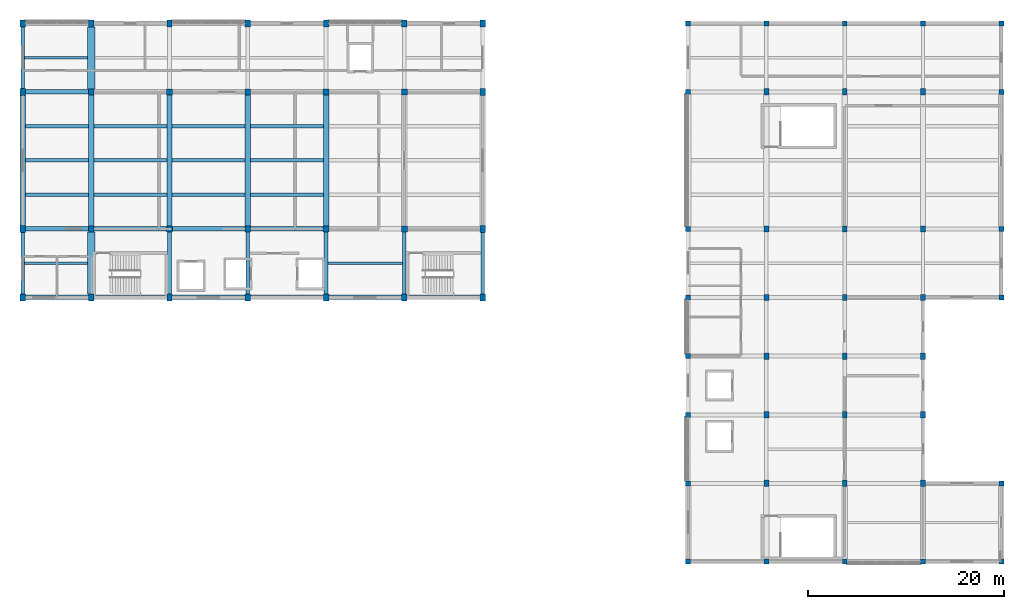
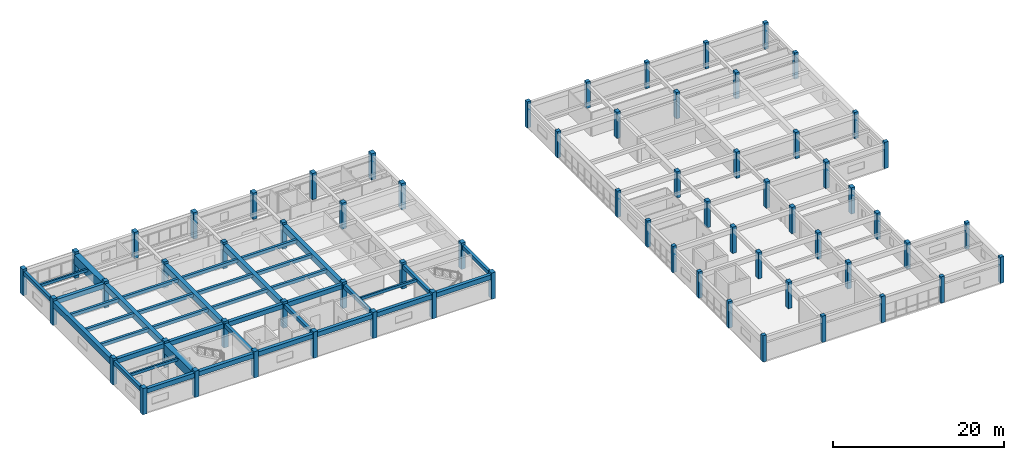
# One storey, part 1 of 17: 66 columns, 40 beams.
"""IFC4 building model written with IfcOpenShell, lengths in metres."""

from ifc_helpers import new_model, si_unit, direction, frame, origin, origin_2d, place, context, subcontext, project, spatial, rectangle, extrude, material, material_profile, profile_set, type_object, element, save


model = new_model("IFC4")

# Units and contexts
model_context = context("Model", 3, precision=1e-05, world=origin(), true_north=direction((0.0, 1.0)))
body_context = subcontext(model_context, "Body", "Model", "MODEL_VIEW")
ifc_project = project(units=[si_unit("LENGTHUNIT", "METRE"), si_unit("AREAUNIT", "SQUARE_METRE"), si_unit("VOLUMEUNIT", "CUBIC_METRE"), si_unit("PLANEANGLEUNIT", "RADIAN"), si_unit("MASSUNIT", "GRAM", prefix="KILO")], contexts=[model_context])

# Site, building, storey
site_placement = place(None, origin())
site = spatial("IfcSite", under=ifc_project, at=site_placement, CompositionType="ELEMENT")
building_placement = place(site_placement, origin())
building = spatial("IfcBuilding", under=site, at=building_placement, Name="Naurynzar Civic Courthouse", CompositionType="ELEMENT")
storey_placement = place(building_placement, frame((0.0, 0.0, 29.550048828125)))
storey = spatial("IfcBuildingStorey", under=building, at=storey_placement, Name="L08", CompositionType="ELEMENT", Elevation=29.550048828125)

# Columns
ifc_material_1 = material(Name="Concrete C40/50", Category="concrete")
ifc_material_profile_1 = material_profile(ifc_material_1, rectangle(XDim=0.5, YDim=0.5, at=origin_2d()), Name="RC 500x500")
ifc_profile_set_1 = profile_set([ifc_material_profile_1], Name="Concrete C40/50")
column_type_1 = type_object("IfcColumnType", Name="COL-RC-500x500", PredefinedType="COLUMN", material=ifc_profile_set_1)
for number, where, z_axis, x_axis, name in (
    (1, (130.0, 17.0, 0.0), (0.0, 0.0, 1.0), (1.0, 0.0, 0.0), "V5 column (130.0,17.0) L08"),
    (2, (130.0, 25.0, 0.0), (0.0, 0.0, 1.0), (1.0, 0.0, 0.0), "V5 column (130.0,25.0) L08"),
    (3, (130.0, 32.0, 0.0), (0.0, 0.0, 1.0), (1.0, 0.0, 0.0), "V5 column (130.0,32.0) L08"),
    (4, (130.0, 38.0, 0.0), (0.0, 0.0, 1.0), (1.0, 0.0, 0.0), "V5 column (130.0,38.0) L08"),
    (5, (130.0, 44.0, 0.0), (0.0, 0.0, 1.0), (1.0, 0.0, 0.0), "V5 column (130.0,44.0) L08"),
    (6, (130.0, 51.0, 0.0), (0.0, 0.0, 1.0), (1.0, 0.0, 0.0), "V5 column (130.0,51.0) L08"),
    (7, (130.0, 65.0, 0.0), (0.0, 0.0, 1.0), (1.0, 0.0, 0.0), "V5 column (130.0,65.0) L08"),
    (8, (130.0, 72.0, 0.0), (0.0, 0.0, 1.0), (1.0, 0.0, 0.0), "V5 column (130.0,72.0) L08"),
    (9, (138.0, 17.0, 0.0), (0.0, 0.0, 1.0), (1.0, 0.0, 0.0), "V5 column (138.0,17.0) L08"),
    (10, (138.0, 72.0, 0.0), (0.0, 0.0, 1.0), (1.0, 0.0, 0.0), "V5 column (138.0,72.0) L08"),
    (11, (146.0, 17.0, 0.0), (0.0, 0.0, 1.0), (1.0, 0.0, 0.0), "V5 column (146.0,17.0) L08"),
    (12, (146.0, 72.0, 0.0), (0.0, 0.0, 1.0), (1.0, 0.0, 0.0), "V5 column (146.0,72.0) L08"),
    (13, (154.0, 17.0, 0.0), (0.0, 0.0, 1.0), (1.0, 0.0, 0.0), "V5 column (154.0,17.0) L08"),
    (14, (154.0, 72.0, 0.0), (0.0, 0.0, 1.0), (1.0, 0.0, 0.0), "V5 column (154.0,72.0) L08"),
    (15, (162.0, 17.0, 0.0), (0.0, 0.0, 1.0), (1.0, 0.0, 0.0), "V5 column (162.0,17.0) L08"),
    (16, (162.0, 25.0, 0.0), (0.0, 0.0, 1.0), (1.0, 0.0, 0.0), "V5 column (162.0,25.0) L08"),
    (17, (162.0, 44.0, 0.0), (0.0, 0.0, 1.0), (1.0, 0.0, 0.0), "V5 column (162.0,44.0) L08"),
    (18, (162.0, 51.0, 0.0), (0.0, 0.0, 1.0), (1.0, 0.0, 0.0), "V5 column (162.0,51.0) L08"),
    (19, (162.0, 65.0, 0.0), (0.0, 0.0, 1.0), (1.0, 0.0, 0.0), "V5 column (162.0,65.0) L08"),
    (20, (162.0, 72.0, 0.0), (0.0, 0.0, 1.0), (1.0, 0.0, 0.0), "V5 column (162.0,72.0) L08"),
):
    element("IfcColumn", number, at=place(storey_placement, frame(where, z_axis=z_axis, x_axis=x_axis)), inside=storey, type_object=column_type_1, Name=name, PredefinedType="COLUMN", context=body_context, shape_type="SweptSolid", body=[
        extrude(rectangle(XDim=0.5, YDim=0.5, at=origin_2d()), origin(), (0.0, 0.0, 1.0), 3.75),
    ])
ifc_material_2 = material(Name="Concrete C40/50", Category="concrete")
ifc_material_profile_2 = material_profile(ifc_material_2, rectangle(XDim=0.5, YDim=0.64990234375, at=origin_2d()), Name="RC 500x650")
ifc_profile_set_2 = profile_set([ifc_material_profile_2], Name="Concrete C40/50")
column_type_2 = type_object("IfcColumnType", Name="COL-RC-500x650", PredefinedType="COLUMN", material=ifc_profile_set_2)
for number, where, z_axis, x_axis, name in (
    (21, (138.0, 25.0, 0.0), (0.0, 0.0, 1.0), (1.0, 0.0, 0.0), "V5 column (138.0,25.0) L08"),
    (22, (138.0, 32.0, 0.0), (0.0, 0.0, 1.0), (1.0, 0.0, 0.0), "V5 column (138.0,32.0) L08"),
    (23, (138.0, 38.0, 0.0), (0.0, 0.0, 1.0), (1.0, 0.0, 0.0), "V5 column (138.0,38.0) L08"),
    (24, (138.0, 44.0, 0.0), (0.0, 0.0, 1.0), (1.0, 0.0, 0.0), "V5 column (138.0,44.0) L08"),
    (25, (138.0, 51.0, 0.0), (0.0, 0.0, 1.0), (1.0, 0.0, 0.0), "V5 column (138.0,51.0) L08"),
    (26, (138.0, 65.0, 0.0), (0.0, 0.0, 1.0), (1.0, 0.0, 0.0), "V5 column (138.0,65.0) L08"),
    (27, (146.0, 25.0, 0.0), (0.0, 0.0, 1.0), (1.0, 0.0, 0.0), "V5 column (146.0,25.0) L08"),
    (28, (146.0, 32.0, 0.0), (0.0, 0.0, 1.0), (1.0, 0.0, 0.0), "V5 column (146.0,32.0) L08"),
    (29, (146.0, 38.0, 0.0), (0.0, 0.0, 1.0), (1.0, 0.0, 0.0), "V5 column (146.0,38.0) L08"),
    (30, (146.0, 44.0, 0.0), (0.0, 0.0, 1.0), (1.0, 0.0, 0.0), "V5 column (146.0,44.0) L08"),
    (31, (146.0, 51.0, 0.0), (0.0, 0.0, 1.0), (1.0, 0.0, 0.0), "V5 column (146.0,51.0) L08"),
    (32, (146.0, 65.0, 0.0), (0.0, 0.0, 1.0), (1.0, 0.0, 0.0), "V5 column (146.0,65.0) L08"),
    (33, (154.0, 25.0, 0.0), (0.0, 0.0, 1.0), (1.0, 0.0, 0.0), "V5 column (154.0,25.0) L08"),
    (34, (154.0, 32.0, 0.0), (0.0, 0.0, 1.0), (1.0, 0.0, 0.0), "V5 column (154.0,32.0) L08"),
    (35, (154.0, 38.0, 0.0), (0.0, 0.0, 1.0), (1.0, 0.0, 0.0), "V5 column (154.0,38.0) L08"),
    (36, (154.0, 44.0, 0.0), (0.0, 0.0, 1.0), (1.0, 0.0, 0.0), "V5 column (154.0,44.0) L08"),
    (37, (154.0, 51.0, 0.0), (0.0, 0.0, 1.0), (1.0, 0.0, 0.0), "V5 column (154.0,51.0) L08"),
    (38, (154.0, 65.0, 0.0), (0.0, 0.0, 1.0), (1.0, 0.0, 0.0), "V5 column (154.0,65.0) L08"),
):
    element("IfcColumn", number, at=place(storey_placement, frame(where, z_axis=z_axis, x_axis=x_axis)), inside=storey, type_object=column_type_2, Name=name, PredefinedType="COLUMN", context=body_context, shape_type="SweptSolid", body=[
        extrude(rectangle(XDim=0.5, YDim=0.64990234375, at=origin_2d()), origin(), (0.0, 0.0, 1.0), 3.75),
    ])
ifc_material_3 = material(Name="Concrete C40/50", Category="concrete")
ifc_material_profile_3 = material_profile(ifc_material_3, rectangle(XDim=0.550048828125, YDim=0.699951171875, at=origin_2d()), Name="RC 550x700")
ifc_profile_set_3 = profile_set([ifc_material_profile_3], Name="Concrete C40/50")
column_type_3 = type_object("IfcColumnType", Name="COL-RC-550x700", PredefinedType="COLUMN", material=ifc_profile_set_3)
for number, where, z_axis, x_axis, name in (
    (39, (62.0, 44.0, 0.0), (0.0, 0.0, 1.0), (1.0, 0.0, 0.0), "V2 column (62.0,44.0) L08"),
    (40, (62.0, 51.0, 0.0), (0.0, 0.0, 1.0), (1.0, 0.0, 0.0), "V2 column (62.0,51.0) L08"),
    (41, (62.0, 65.0, 0.0), (0.0, 0.0, 1.0), (1.0, 0.0, 0.0), "V2 column (62.0,65.0) L08"),
    (42, (62.0, 72.0, 0.0), (0.0, 0.0, 1.0), (1.0, 0.0, 0.0), "V2 column (62.0,72.0) L08"),
    (43, (69.0, 44.0, 0.0), (0.0, 0.0, 1.0), (1.0, 0.0, 0.0), "V2 column (69.0,44.0) L08"),
    (44, (69.0, 72.0, 0.0), (0.0, 0.0, 1.0), (1.0, 0.0, 0.0), "V2 column (69.0,72.0) L08"),
    (45, (77.0, 44.0, 0.0), (0.0, 0.0, 1.0), (1.0, 0.0, 0.0), "V2 column (77.0,44.0) L08"),
    (46, (77.0, 72.0, 0.0), (0.0, 0.0, 1.0), (1.0, 0.0, 0.0), "V2 column (77.0,72.0) L08"),
    (47, (85.0, 44.0, 0.0), (0.0, 0.0, 1.0), (1.0, 0.0, 0.0), "V2 column (85.0,44.0) L08"),
    (48, (85.0, 72.0, 0.0), (0.0, 0.0, 1.0), (1.0, 0.0, 0.0), "V2 column (85.0,72.0) L08"),
    (49, (93.0, 44.0, 0.0), (0.0, 0.0, 1.0), (1.0, 0.0, 0.0), "V2 column (93.0,44.0) L08"),
    (50, (93.0, 72.0, 0.0), (0.0, 0.0, 1.0), (1.0, 0.0, 0.0), "V2 column (93.0,72.0) L08"),
    (51, (101.0, 44.0, 0.0), (0.0, 0.0, 1.0), (1.0, 0.0, 0.0), "V2 column (101.0,44.0) L08"),
    (52, (101.0, 72.0, 0.0), (0.0, 0.0, 1.0), (1.0, 0.0, 0.0), "V2 column (101.0,72.0) L08"),
    (53, (109.0, 44.0, 0.0), (0.0, 0.0, 1.0), (1.0, 0.0, 0.0), "V2 column (109.0,44.0) L08"),
    (54, (109.0, 51.0, 0.0), (0.0, 0.0, 1.0), (1.0, 0.0, 0.0), "V2 column (109.0,51.0) L08"),
    (55, (109.0, 65.0, 0.0), (0.0, 0.0, 1.0), (1.0, 0.0, 0.0), "V2 column (109.0,65.0) L08"),
    (56, (109.0, 72.0, 0.0), (0.0, 0.0, 1.0), (1.0, 0.0, 0.0), "V2 column (109.0,72.0) L08"),
):
    element("IfcColumn", number, at=place(storey_placement, frame(where, z_axis=z_axis, x_axis=x_axis)), inside=storey, type_object=column_type_3, Name=name, PredefinedType="COLUMN", context=body_context, shape_type="SweptSolid", body=[
        extrude(rectangle(XDim=0.550048828125, YDim=0.699951171875, at=origin_2d()), origin(), (0.0, 0.0, 1.0), 3.75),
    ])
ifc_material_4 = material(Name="Concrete C40/50", Category="concrete")
ifc_material_profile_4 = material_profile(ifc_material_4, rectangle(XDim=0.60009765625, YDim=0.60009765625, at=origin_2d()), Name="RC 600x600")
ifc_profile_set_4 = profile_set([ifc_material_profile_4], Name="Concrete C40/50")
column_type_4 = type_object("IfcColumnType", Name="COL-RC-600", PredefinedType="COLUMN", material=ifc_profile_set_4)
for number, where, z_axis, x_axis, name in (
    (57, (69.0, 51.0, 0.0), (0.0, 0.0, 1.0), (1.0, 0.0, 0.0), "V2 column (69.0,51.0) L08"),
    (58, (69.0, 65.0, 0.0), (0.0, 0.0, 1.0), (1.0, 0.0, 0.0), "V2 column (69.0,65.0) L08"),
    (59, (77.0, 51.0, 0.0), (0.0, 0.0, 1.0), (1.0, 0.0, 0.0), "V2 column (77.0,51.0) L08"),
    (60, (77.0, 65.0, 0.0), (0.0, 0.0, 1.0), (1.0, 0.0, 0.0), "V2 column (77.0,65.0) L08"),
    (61, (85.0, 51.0, 0.0), (0.0, 0.0, 1.0), (1.0, 0.0, 0.0), "V2 column (85.0,51.0) L08"),
    (62, (85.0, 65.0, 0.0), (0.0, 0.0, 1.0), (1.0, 0.0, 0.0), "V2 column (85.0,65.0) L08"),
    (63, (93.0, 51.0, 0.0), (0.0, 0.0, 1.0), (1.0, 0.0, 0.0), "V2 column (93.0,51.0) L08"),
    (64, (93.0, 65.0, 0.0), (0.0, 0.0, 1.0), (1.0, 0.0, 0.0), "V2 column (93.0,65.0) L08"),
    (65, (101.0, 51.0, 0.0), (0.0, 0.0, 1.0), (1.0, 0.0, 0.0), "V2 column (101.0,51.0) L08"),
    (66, (101.0, 65.0, 0.0), (0.0, 0.0, 1.0), (1.0, 0.0, 0.0), "V2 column (101.0,65.0) L08"),
):
    element("IfcColumn", number, at=place(storey_placement, frame(where, z_axis=z_axis, x_axis=x_axis)), inside=storey, type_object=column_type_4, Name=name, PredefinedType="COLUMN", context=body_context, shape_type="SweptSolid", body=[
        extrude(rectangle(XDim=0.60009765625, YDim=0.60009765625, at=origin_2d()), origin(), (0.0, 0.0, 1.0), 3.75),
    ])

# Beams
ifc_material_5 = material(Name="Concrete C40/50", Category="concrete")
ifc_material_profile_5 = material_profile(ifc_material_5, rectangle(XDim=0.25, YDim=0.39990234375, at=origin_2d()), Name="RCB 250x400")
ifc_profile_set_5 = profile_set([ifc_material_profile_5], Name="Concrete C40/50")
beam_type_1 = type_object("IfcBeamType", Name="BM-JST-250x400", PredefinedType="JOIST", material=ifc_profile_set_5)
beam_1_placement = place(storey_placement, frame((62.1875, 47.5, 3.22998046875), z_axis=(1.0, 0.0, 0.0), x_axis=(0.0, 1.0, 0.0)))
element("IfcBeam", 67, at=beam_1_placement, inside=storey, type_object=beam_type_1, Name="V2 secondary rib 1045 L08", PredefinedType="JOIST", context=body_context, shape_type="SweptSolid", body=[
    extrude(rectangle(XDim=0.25, YDim=0.39990234375, at=origin_2d()), origin(), (0.0, 0.0, 1.0), 6.4375),
])
beam_2_placement = place(storey_placement, frame((93.1875, 47.5, 3.22998046875), z_axis=(1.0, 0.0, 0.0), x_axis=(0.0, 1.0, 0.0)))
element("IfcBeam", 68, at=beam_2_placement, inside=storey, type_object=beam_type_1, Name="V2 secondary rib 1046 L08", PredefinedType="JOIST", context=body_context, shape_type="SweptSolid", body=[
    extrude(rectangle(XDim=0.25, YDim=0.39990234375, at=origin_2d()), origin(), (0.0, 0.0, 1.0), 7.625),
])
beam_3_placement = place(storey_placement, frame((62.1875, 68.5, 3.22998046875), z_axis=(1.0, 0.0, 0.0), x_axis=(0.0, 1.0, 0.0)))
element("IfcBeam", 69, at=beam_3_placement, inside=storey, type_object=beam_type_1, Name="V2 secondary rib 1065 L08", PredefinedType="JOIST", context=body_context, shape_type="SweptSolid", body=[
    extrude(rectangle(XDim=0.25, YDim=0.39990234375, at=origin_2d()), origin(), (0.0, 0.0, 1.0), 6.4375),
])
ifc_material_6 = material(Name="Concrete C40/50", Category="concrete")
ifc_material_profile_6 = material_profile(ifc_material_6, rectangle(XDim=0.550048828125, YDim=0.85009765625, at=origin_2d()), Name="PTB 550x850")
ifc_profile_set_6 = profile_set([ifc_material_profile_6], Name="Concrete C40/50")
beam_type_2 = type_object("IfcBeamType", Name="BM-PT-550x850", PredefinedType="T_BEAM", material=ifc_profile_set_6)
beam_4_placement = place(storey_placement, frame((62.0, 51.35009765625, 3.0048828125), z_axis=(0.0, 1.0, 0.0), x_axis=(-1.0, 0.0, 0.0)))
element("IfcBeam", 70, at=beam_4_placement, inside=storey, type_object=beam_type_2, Name="V2 girder Y-1025 L08", PredefinedType="T_BEAM", context=body_context, shape_type="SweptSolid", body=[
    extrude(rectangle(XDim=0.550048828125, YDim=0.85009765625, at=origin_2d()), origin(), (0.0, 0.0, 1.0), 13.2998046875),
])
for number, where, z_axis, x_axis, name in (
    (71, (69.0, 51.300048828125, 3.0048828125), (0.0, 1.0, 0.0), (-1.0, 0.0, 0.0), "V2 girder Y-1028 L08"),
    (72, (77.0, 51.300048828125, 3.0048828125), (0.0, 1.0, 0.0), (-1.0, 0.0, 0.0), "V2 girder Y-1031 L08"),
    (73, (85.0, 51.300048828125, 3.0048828125), (0.0, 1.0, 0.0), (-1.0, 0.0, 0.0), "V2 girder Y-1034 L08"),
    (74, (93.0, 51.300048828125, 3.0048828125), (0.0, 1.0, 0.0), (-1.0, 0.0, 0.0), "V2 girder Y-1037 L08"),
):
    element("IfcBeam", number, at=place(storey_placement, frame(where, z_axis=z_axis, x_axis=x_axis)), inside=storey, type_object=beam_type_2, Name=name, PredefinedType="T_BEAM", context=body_context, shape_type="SweptSolid", body=[
        extrude(rectangle(XDim=0.550048828125, YDim=0.85009765625, at=origin_2d()), origin(), (0.0, 0.0, 1.0), 13.39990234375),
    ])
ifc_material_7 = material(Name="Concrete C40/50", Category="concrete")
ifc_material_profile_7 = material_profile(ifc_material_7, rectangle(XDim=0.35009765625, YDim=0.449951171875, at=origin_2d()), Name="RCB 350x450")
ifc_profile_set_7 = profile_set([ifc_material_profile_7], Name="Concrete C40/50")
beam_type_3 = type_object("IfcBeamType", Name="BM-RC-350x450", PredefinedType="BEAM", material=ifc_profile_set_7)
for number, where, z_axis, x_axis, name in (
    (75, (62.27490234375, 54.5, 3.204833984375), (1.0, 0.0, 0.0), (0.0, 1.0, 0.0), "V2 secondary rib 1047 L08"),
    (76, (62.27490234375, 58.0, 3.204833984375), (1.0, 0.0, 0.0), (0.0, 1.0, 0.0), "V2 secondary rib 1048 L08"),
    (77, (62.27490234375, 61.5, 3.204833984375), (1.0, 0.0, 0.0), (0.0, 1.0, 0.0), "V2 secondary rib 1049 L08"),
):
    element("IfcBeam", number, at=place(storey_placement, frame(where, z_axis=z_axis, x_axis=x_axis)), inside=storey, type_object=beam_type_3, Name=name, PredefinedType="BEAM", context=body_context, shape_type="SweptSolid", body=[
        extrude(rectangle(XDim=0.35009765625, YDim=0.449951171875, at=origin_2d()), origin(), (0.0, 0.0, 1.0), 6.4501953125),
    ])
for number, where, z_axis, x_axis, name in (
    (78, (69.27490234375, 54.5, 3.204833984375), (1.0, 0.0, 0.0), (0.0, 1.0, 0.0), "V2 secondary rib 1050 L08"),
    (79, (69.27490234375, 58.0, 3.204833984375), (1.0, 0.0, 0.0), (0.0, 1.0, 0.0), "V2 secondary rib 1051 L08"),
    (80, (69.27490234375, 61.5, 3.204833984375), (1.0, 0.0, 0.0), (0.0, 1.0, 0.0), "V2 secondary rib 1052 L08"),
    (81, (77.27490234375, 54.5, 3.204833984375), (1.0, 0.0, 0.0), (0.0, 1.0, 0.0), "V2 secondary rib 1053 L08"),
    (82, (77.27490234375, 58.0, 3.204833984375), (1.0, 0.0, 0.0), (0.0, 1.0, 0.0), "V2 secondary rib 1054 L08"),
    (83, (77.27490234375, 61.5, 3.204833984375), (1.0, 0.0, 0.0), (0.0, 1.0, 0.0), "V2 secondary rib 1055 L08"),
    (84, (85.27490234375, 54.5, 3.204833984375), (1.0, 0.0, 0.0), (0.0, 1.0, 0.0), "V2 secondary rib 1056 L08"),
    (85, (85.27490234375, 58.0, 3.204833984375), (1.0, 0.0, 0.0), (0.0, 1.0, 0.0), "V2 secondary rib 1057 L08"),
    (86, (85.27490234375, 61.5, 3.204833984375), (1.0, 0.0, 0.0), (0.0, 1.0, 0.0), "V2 secondary rib 1058 L08"),
):
    element("IfcBeam", number, at=place(storey_placement, frame(where, z_axis=z_axis, x_axis=x_axis)), inside=storey, type_object=beam_type_3, Name=name, PredefinedType="BEAM", context=body_context, shape_type="SweptSolid", body=[
        extrude(rectangle(XDim=0.35009765625, YDim=0.449951171875, at=origin_2d()), origin(), (0.0, 0.0, 1.0), 7.4501953125),
    ])
ifc_material_8 = material(Name="Concrete C40/50", Category="concrete")
ifc_material_profile_8 = material_profile(ifc_material_8, rectangle(XDim=0.375, YDim=0.550048828125, at=origin_2d()), Name="RCB 375x550")
ifc_profile_set_8 = profile_set([ifc_material_profile_8], Name="Concrete C40/50")
beam_type_4 = type_object("IfcBeamType", Name="BM-RC-375x550", PredefinedType="BEAM", material=ifc_profile_set_8)
for number, where, z_axis, x_axis, name in (
    (87, (62.0, 44.35009765625, 3.155029296875), (0.0, 1.0, 0.0), (-1.0, 0.0, 0.0), "V2 girder Y-1024 L08"),
    (88, (62.0, 65.35009765625, 3.155029296875), (0.0, 1.0, 0.0), (-1.0, 0.0, 0.0), "V2 girder Y-1026 L08"),
):
    element("IfcBeam", number, at=place(storey_placement, frame(where, z_axis=z_axis, x_axis=x_axis)), inside=storey, type_object=beam_type_4, Name=name, PredefinedType="BEAM", context=body_context, shape_type="SweptSolid", body=[
        extrude(rectangle(XDim=0.375, YDim=0.550048828125, at=origin_2d()), origin(), (0.0, 0.0, 1.0), 6.2998046875),
    ])
for number, where, z_axis, x_axis, name in (
    (89, (77.0, 44.35009765625, 3.155029296875), (0.0, 1.0, 0.0), (-1.0, 0.0, 0.0), "V2 girder Y-1030 L08"),
    (90, (85.0, 44.35009765625, 3.155029296875), (0.0, 1.0, 0.0), (-1.0, 0.0, 0.0), "V2 girder Y-1033 L08"),
    (91, (93.0, 44.35009765625, 3.155029296875), (0.0, 1.0, 0.0), (-1.0, 0.0, 0.0), "V2 girder Y-1036 L08"),
    (92, (101.0, 44.35009765625, 3.155029296875), (0.0, 1.0, 0.0), (-1.0, 0.0, 0.0), "V2 girder Y-1039 L08"),
):
    element("IfcBeam", number, at=place(storey_placement, frame(where, z_axis=z_axis, x_axis=x_axis)), inside=storey, type_object=beam_type_4, Name=name, PredefinedType="BEAM", context=body_context, shape_type="SweptSolid", body=[
        extrude(rectangle(XDim=0.375, YDim=0.550048828125, at=origin_2d()), origin(), (0.0, 0.0, 1.0), 6.349853515625),
    ])
beam_5_placement = place(storey_placement, frame((109.0, 44.35009765625, 3.155029296875), z_axis=(0.0, 1.0, 0.0), x_axis=(-1.0, 0.0, 0.0)))
element("IfcBeam", 93, at=beam_5_placement, inside=storey, type_object=beam_type_4, Name="V2 girder Y-1042 L08", PredefinedType="BEAM", context=body_context, shape_type="SweptSolid", body=[
    extrude(rectangle(XDim=0.375, YDim=0.550048828125, at=origin_2d()), origin(), (0.0, 0.0, 1.0), 6.2998046875),
])
ifc_material_9 = material(Name="Concrete C40/50", Category="concrete")
ifc_material_profile_9 = material_profile(ifc_material_9, rectangle(XDim=0.449951171875, YDim=0.64990234375, at=origin_2d()), Name="RCB 450x650")
ifc_profile_set_9 = profile_set([ifc_material_profile_9], Name="Concrete C40/50")
beam_type_5 = type_object("IfcBeamType", Name="BM-RC-450x650", PredefinedType="BEAM", material=ifc_profile_set_9)
beam_6_placement = place(storey_placement, frame((62.27490234375, 44.0, 3.10498046875), z_axis=(1.0, 0.0, 0.0), x_axis=(0.0, 1.0, 0.0)))
element("IfcBeam", 94, at=beam_6_placement, inside=storey, type_object=beam_type_5, Name="V2 beam X-1000 L08", PredefinedType="BEAM", context=body_context, shape_type="SweptSolid", body=[
    extrude(rectangle(XDim=0.449951171875, YDim=0.64990234375, at=origin_2d()), origin(), (0.0, 0.0, 1.0), 6.4501953125),
])
for number, where, z_axis, x_axis, name in (
    (95, (69.27490234375, 44.0, 3.10498046875), (1.0, 0.0, 0.0), (0.0, 1.0, 0.0), "V2 beam X-1001 L08"),
    (96, (77.27490234375, 44.0, 3.10498046875), (1.0, 0.0, 0.0), (0.0, 1.0, 0.0), "V2 beam X-1002 L08"),
    (97, (85.27490234375, 44.0, 3.10498046875), (1.0, 0.0, 0.0), (0.0, 1.0, 0.0), "V2 beam X-1003 L08"),
    (98, (93.27490234375, 44.0, 3.10498046875), (1.0, 0.0, 0.0), (0.0, 1.0, 0.0), "V2 beam X-1004 L08"),
    (99, (101.27490234375, 44.0, 3.10498046875), (1.0, 0.0, 0.0), (0.0, 1.0, 0.0), "V2 beam X-1005 L08"),
):
    element("IfcBeam", number, at=place(storey_placement, frame(where, z_axis=z_axis, x_axis=x_axis)), inside=storey, type_object=beam_type_5, Name=name, PredefinedType="BEAM", context=body_context, shape_type="SweptSolid", body=[
        extrude(rectangle(XDim=0.449951171875, YDim=0.64990234375, at=origin_2d()), origin(), (0.0, 0.0, 1.0), 7.4501953125),
    ])
beam_7_placement = place(storey_placement, frame((62.27490234375, 51.0, 3.10498046875), z_axis=(1.0, 0.0, 0.0), x_axis=(0.0, 1.0, 0.0)))
element("IfcBeam", 100, at=beam_7_placement, inside=storey, type_object=beam_type_5, Name="V2 beam X-1006 L08", PredefinedType="BEAM", context=body_context, shape_type="SweptSolid", body=[
    extrude(rectangle(XDim=0.449951171875, YDim=0.64990234375, at=origin_2d()), origin(), (0.0, 0.0, 1.0), 6.425048828125),
])
for number, where, z_axis, x_axis, name in (
    (101, (69.300048828125, 51.0, 3.10498046875), (1.0, 0.0, 0.0), (0.0, 1.0, 0.0), "V2 beam X-1007 L08"),
    (102, (77.300048828125, 51.0, 3.10498046875), (1.0, 0.0, 0.0), (0.0, 1.0, 0.0), "V2 beam X-1008 L08"),
    (103, (85.300048828125, 51.0, 3.10498046875), (1.0, 0.0, 0.0), (0.0, 1.0, 0.0), "V2 beam X-1009 L08"),
):
    element("IfcBeam", number, at=place(storey_placement, frame(where, z_axis=z_axis, x_axis=x_axis)), inside=storey, type_object=beam_type_5, Name=name, PredefinedType="BEAM", context=body_context, shape_type="SweptSolid", body=[
        extrude(rectangle(XDim=0.449951171875, YDim=0.64990234375, at=origin_2d()), origin(), (0.0, 0.0, 1.0), 7.39990234375),
    ])
beam_8_placement = place(storey_placement, frame((62.27490234375, 65.0, 3.10498046875), z_axis=(1.0, 0.0, 0.0), x_axis=(0.0, 1.0, 0.0)))
element("IfcBeam", 104, at=beam_8_placement, inside=storey, type_object=beam_type_5, Name="V2 beam X-1012 L08", PredefinedType="BEAM", context=body_context, shape_type="SweptSolid", body=[
    extrude(rectangle(XDim=0.449951171875, YDim=0.64990234375, at=origin_2d()), origin(), (0.0, 0.0, 1.0), 6.425048828125),
])
ifc_material_10 = material(Name="Concrete C40/50", Category="concrete")
ifc_material_profile_10 = material_profile(ifc_material_10, rectangle(XDim=0.75, YDim=1.300048828125, at=origin_2d()), Name="RCT 750x1300")
ifc_profile_set_10 = profile_set([ifc_material_profile_10], Name="Concrete C40/50")
beam_type_6 = type_object("IfcBeamType", Name="BM-TR-750x1300", PredefinedType="SPANDREL", material=ifc_profile_set_10)
for number, where, z_axis, x_axis, name in (
    (105, (69.0, 44.35009765625, 2.780029296875), (0.0, 1.0, 0.0), (-1.0, 0.0, 0.0), "Transfer Girder TG-01"),
    (106, (69.0, 65.300048828125, 2.780029296875), (0.0, 1.0, 0.0), (-1.0, 0.0, 0.0), "Transfer Girder TG-01"),
):
    element("IfcBeam", number, at=place(storey_placement, frame(where, z_axis=z_axis, x_axis=x_axis)), inside=storey, type_object=beam_type_6, Name=name, PredefinedType="SPANDREL", context=body_context, shape_type="SweptSolid", body=[
        extrude(rectangle(XDim=0.75, YDim=1.300048828125, at=origin_2d()), origin(), (0.0, 0.0, 1.0), 6.349853515625),
    ])

save(model, "model.ifc")
